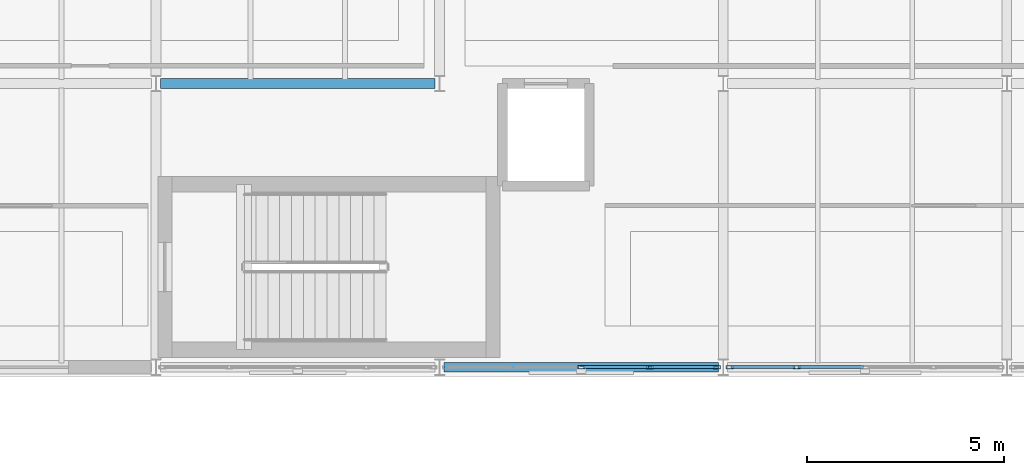
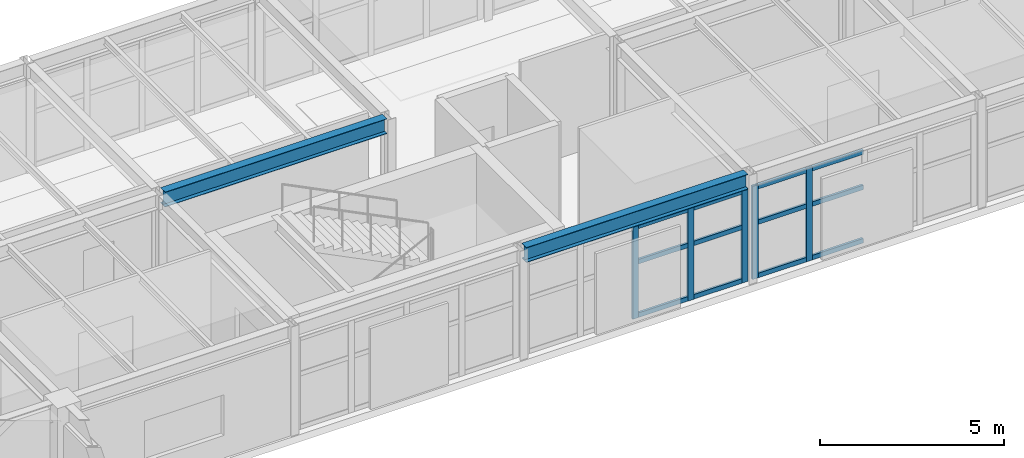
# One storey, part 15 of 48: 17 members, 2 beams, 2 elements without a shape of their own.
"""IFC4 building model written with IfcOpenShell, lengths in metres."""

from ifc_helpers import new_model, si_unit, direction, frame, origin, origin_2d, place, context, subcontext, project, spatial, hollow_rectangle, i_section, extrude, material, layer, layer_set, material_profile, profile_set, type_object, element, aggregate, save


model = new_model("IFC4")

# Units and contexts
model_context = context("Model", 3, precision=1e-05, world=origin(), true_north=direction((0.0, 1.0)))
body_context = subcontext(model_context, "Body", "Model", "MODEL_VIEW")
ifc_project = project(units=[si_unit("LENGTHUNIT", "METRE"), si_unit("AREAUNIT", "SQUARE_METRE"), si_unit("VOLUMEUNIT", "CUBIC_METRE"), si_unit("PLANEANGLEUNIT", "RADIAN"), si_unit("MASSUNIT", "GRAM", prefix="KILO")], contexts=[model_context])

# Site, building, storey
site_placement = place(None, origin())
site = spatial("IfcSite", under=ifc_project, at=site_placement, CompositionType="ELEMENT")
building_placement = place(site_placement, origin())
building = spatial("IfcBuilding", under=site, at=building_placement, Name="Kandorven Conservatory and Botanical Research Centre", CompositionType="ELEMENT")
storey_placement = place(building_placement, frame((0.0, 0.0, 13.199951171875)))
storey = spatial("IfcBuildingStorey", under=building, at=storey_placement, Name="L03", CompositionType="ELEMENT", Elevation=13.199951171875)

# Beams
ifc_material_1 = material(Name="Steel S355 (IS 2062 E350)", Category="steel")
ifc_material_profile_1 = material_profile(ifc_material_1, i_section(OverallWidth=0.25, OverallDepth=0.5, WebThickness=0.010009765625, FlangeThickness=0.0146484375, at=origin_2d()))
ifc_profile_set_1 = profile_set([ifc_material_profile_1], Name="Steel S355 (IS 2062 E350)")
beam_type = type_object("IfcBeamType", Name="Beam_FG-02", PredefinedType="USERDEFINED", material=ifc_profile_set_1)
beam_1_placement = place(storey_placement, frame((56.514892578125, 13.199951171875, 3.375), z_axis=(1.0, 0.0, 0.0), x_axis=(0.0, 1.0, 0.0)))
element("IfcBeam", 1, at=beam_1_placement, inside=storey, type_object=beam_type, Name="Primary girder FG-02 VIS L03", ObjectType="GIRDER", PredefinedType="USERDEFINED", context=body_context, shape_type="SweptSolid", body=[
    extrude(i_section(OverallWidth=0.25, OverallDepth=0.5, WebThickness=0.010009765625, FlangeThickness=0.0146484375, at=origin_2d()), origin(), (0.0, 0.0, 1.0), 6.97021484375),
])
beam_2_placement = place(storey_placement, frame((49.31494140625, 20.39990234375, 3.375), z_axis=(1.0, 0.0, 0.0), x_axis=(0.0, 1.0, 0.0)))
element("IfcBeam", 2, at=beam_2_placement, inside=storey, type_object=beam_type, Name="Primary girder FG-02 VIS L03", ObjectType="GIRDER", PredefinedType="USERDEFINED", context=body_context, shape_type="SweptSolid", body=[
    extrude(i_section(OverallWidth=0.25, OverallDepth=0.5, WebThickness=0.010009765625, FlangeThickness=0.0146484375, at=origin_2d()), origin(), (0.0, 0.0, 1.0), 6.969970703125),
])

# Curtain wall, members
ifc_material_2 = material(Name="Bronze anodised thermally broken aluminium", Category="aluminium")
ifc_layer = layer(ifc_material_2, 0.179931640625)
ifc_layer_set = layer_set([ifc_layer], Name="Bronze anodised thermally broken aluminium")
curtain_wall_type = type_object("IfcCurtainWallType", Name="CW_Unitised", PredefinedType="USERDEFINED", material=ifc_layer_set)
curtain_wall_1_placement = place(storey_placement, origin())
curtain_wall_1 = element("IfcCurtainWall", 3, at=curtain_wall_1_placement, inside=storey, type_object=curtain_wall_type, Name="Visitor wing unitised curtain wall CW-VIS-S-L03-3", ObjectType="UNITISED GLAZING", PredefinedType="USERDEFINED")
ifc_material_3 = material(Name="Bronze anodised thermally broken aluminium", Category="aluminium")
ifc_material_profile_2 = material_profile(ifc_material_3, hollow_rectangle(XDim=0.080078125, YDim=0.179931640625, WallThickness=0.006103515625, at=origin_2d()))
ifc_profile_set_2 = profile_set([ifc_material_profile_2], Name="Bronze anodised thermally broken aluminium")
member_type_1 = type_object("IfcMemberType", Name="CW_Mullion", PredefinedType="MULLION", material=ifc_profile_set_2)
member_1_placement = place(storey_placement, frame((60.0, 13.199951171875, 0.0), z_axis=(0.0, 0.0, 1.0), x_axis=(0.0, 1.0, 0.0)))
member_1 = element("IfcMember", 4, at=member_1_placement, type_object=member_type_1, Name="CW-01 mullion 3", PredefinedType="MULLION", context=body_context, shape_type="SweptSolid", body=[
    extrude(hollow_rectangle(XDim=0.080078125, YDim=0.179931640625, WallThickness=0.006103515625, at=origin_2d()), origin(), (0.0, 0.0, 1.0), 3.10009765625),
])
member_2_placement = place(storey_placement, frame((61.737548828125, 13.199951171875, 0.0), z_axis=(0.0, 0.0, 1.0), x_axis=(0.0, 1.0, 0.0)))
member_2 = element("IfcMember", 5, at=member_2_placement, type_object=member_type_1, Name="CW-01 mullion 4", PredefinedType="MULLION", context=body_context, shape_type="SweptSolid", body=[
    extrude(hollow_rectangle(XDim=0.080078125, YDim=0.179931640625, WallThickness=0.006103515625, at=origin_2d()), origin(), (0.0, 0.0, 1.0), 3.10009765625),
])
member_3_placement = place(storey_placement, frame((63.43505859375, 13.199951171875, 0.0), z_axis=(0.0, 0.0, 1.0), x_axis=(0.0, 1.0, 0.0)))
member_3 = element("IfcMember", 6, at=member_3_placement, type_object=member_type_1, Name="CW-01 mullion 5", PredefinedType="MULLION", context=body_context, shape_type="SweptSolid", body=[
    extrude(hollow_rectangle(XDim=0.080078125, YDim=0.179931640625, WallThickness=0.006103515625, at=origin_2d()), origin(), (0.0, 0.0, 1.0), 3.10009765625),
])

curtain_wall_2_placement = place(storey_placement, origin())
curtain_wall_2 = element("IfcCurtainWall", 7, at=curtain_wall_2_placement, inside=storey, type_object=curtain_wall_type, Name="Visitor wing unitised curtain wall CW-VIS-S-L03-4", ObjectType="UNITISED GLAZING", PredefinedType="USERDEFINED")
member_4_placement = place(storey_placement, frame((63.764892578125, 13.199951171875, 0.0), z_axis=(0.0, 0.0, 1.0), x_axis=(0.0, 1.0, 0.0)))
member_4 = element("IfcMember", 8, at=member_4_placement, type_object=member_type_1, Name="CW-01 mullion 1", PredefinedType="MULLION", context=body_context, shape_type="SweptSolid", body=[
    extrude(hollow_rectangle(XDim=0.080078125, YDim=0.179931640625, WallThickness=0.006103515625, at=origin_2d()), origin(), (0.0, 0.0, 1.0), 3.10009765625),
])
member_5_placement = place(storey_placement, frame((65.46240234375, 13.199951171875, 0.0), z_axis=(0.0, 0.0, 1.0), x_axis=(0.0, 1.0, 0.0)))
member_5 = element("IfcMember", 9, at=member_5_placement, type_object=member_type_1, Name="CW-01 mullion 2", PredefinedType="MULLION", context=body_context, shape_type="SweptSolid", body=[
    extrude(hollow_rectangle(XDim=0.080078125, YDim=0.179931640625, WallThickness=0.006103515625, at=origin_2d()), origin(), (0.0, 0.0, 1.0), 3.10009765625),
])

# Member
ifc_material_4 = material(Name="Bronze anodised thermally broken aluminium", Category="aluminium")
ifc_material_profile_3 = material_profile(ifc_material_4, hollow_rectangle(XDim=0.074951171875, YDim=0.14990234375, WallThickness=0.006103515625, at=origin_2d()))
ifc_profile_set_3 = profile_set([ifc_material_profile_3], Name="Bronze anodised thermally broken aluminium")
member_type_2 = type_object("IfcMemberType", Name="CW_Transom", PredefinedType="USERDEFINED", material=ifc_profile_set_3)
member_6_placement = place(storey_placement, frame((60.0400390625, 13.199951171875, 0.074951171875), z_axis=(1.0, 0.0, 0.0), x_axis=(0.0, 1.0, 0.0)))
member_6 = element("IfcMember", 10, at=member_6_placement, type_object=member_type_2, Name="CW-01 transom 3.1", ObjectType="TRANSOM", PredefinedType="USERDEFINED", context=body_context, shape_type="SweptSolid", body=[
    extrude(hollow_rectangle(XDim=0.074951171875, YDim=0.14990234375, WallThickness=0.006103515625, at=origin_2d()), origin(), (0.0, 0.0, 1.0), 1.657470703125),
])

member_7_placement = place(storey_placement, frame((60.0400390625, 13.199951171875, 1.85009765625), z_axis=(1.0, 0.0, 0.0), x_axis=(0.0, 1.0, 0.0)))
member_7 = element("IfcMember", 11, at=member_7_placement, type_object=member_type_2, Name="CW-01 transom 3.2", ObjectType="TRANSOM", PredefinedType="USERDEFINED", context=body_context, shape_type="SweptSolid", body=[
    extrude(hollow_rectangle(XDim=0.074951171875, YDim=0.14990234375, WallThickness=0.006103515625, at=origin_2d()), origin(), (0.0, 0.0, 1.0), 1.657470703125),
])

member_8_placement = place(storey_placement, frame((60.0400390625, 13.199951171875, 3.025146484375), z_axis=(1.0, 0.0, 0.0), x_axis=(0.0, 1.0, 0.0)))
member_8 = element("IfcMember", 12, at=member_8_placement, type_object=member_type_2, Name="CW-01 transom 3.3", ObjectType="TRANSOM", PredefinedType="USERDEFINED", context=body_context, shape_type="SweptSolid", body=[
    extrude(hollow_rectangle(XDim=0.074951171875, YDim=0.14990234375, WallThickness=0.006103515625, at=origin_2d()), origin(), (0.0, 0.0, 1.0), 1.657470703125),
])

member_9_placement = place(storey_placement, frame((61.777587890625, 13.199951171875, 0.074951171875), z_axis=(1.0, 0.0, 0.0), x_axis=(0.0, 1.0, 0.0)))
member_9 = element("IfcMember", 13, at=member_9_placement, type_object=member_type_2, Name="CW-01 transom 4.1", ObjectType="TRANSOM", PredefinedType="USERDEFINED", context=body_context, shape_type="SweptSolid", body=[
    extrude(hollow_rectangle(XDim=0.074951171875, YDim=0.14990234375, WallThickness=0.006103515625, at=origin_2d()), origin(), (0.0, 0.0, 1.0), 1.617431640625),
])

member_10_placement = place(storey_placement, frame((61.777587890625, 13.199951171875, 1.85009765625), z_axis=(1.0, 0.0, 0.0), x_axis=(0.0, 1.0, 0.0)))
member_10 = element("IfcMember", 14, at=member_10_placement, type_object=member_type_2, Name="CW-01 transom 4.2", ObjectType="TRANSOM", PredefinedType="USERDEFINED", context=body_context, shape_type="SweptSolid", body=[
    extrude(hollow_rectangle(XDim=0.074951171875, YDim=0.14990234375, WallThickness=0.006103515625, at=origin_2d()), origin(), (0.0, 0.0, 1.0), 1.617431640625),
])

member_11_placement = place(storey_placement, frame((61.777587890625, 13.199951171875, 3.025146484375), z_axis=(1.0, 0.0, 0.0), x_axis=(0.0, 1.0, 0.0)))
member_11 = element("IfcMember", 15, at=member_11_placement, type_object=member_type_2, Name="CW-01 transom 4.3", ObjectType="TRANSOM", PredefinedType="USERDEFINED", context=body_context, shape_type="SweptSolid", body=[
    extrude(hollow_rectangle(XDim=0.074951171875, YDim=0.14990234375, WallThickness=0.006103515625, at=origin_2d()), origin(), (0.0, 0.0, 1.0), 1.617431640625),
])

aggregate(curtain_wall_1, [member_1, member_2, member_3, member_6, member_7, member_8, member_9, member_10, member_11])

member_12_placement = place(storey_placement, frame((63.804931640625, 13.199951171875, 0.074951171875), z_axis=(1.0, 0.0, 0.0), x_axis=(0.0, 1.0, 0.0)))
member_12 = element("IfcMember", 16, at=member_12_placement, type_object=member_type_2, Name="CW-01 transom 1.1", ObjectType="TRANSOM", PredefinedType="USERDEFINED", context=body_context, shape_type="SweptSolid", body=[
    extrude(hollow_rectangle(XDim=0.074951171875, YDim=0.14990234375, WallThickness=0.006103515625, at=origin_2d()), origin(), (0.0, 0.0, 1.0), 1.61767578125),
])

member_13_placement = place(storey_placement, frame((63.804931640625, 13.199951171875, 1.85009765625), z_axis=(1.0, 0.0, 0.0), x_axis=(0.0, 1.0, 0.0)))
member_13 = element("IfcMember", 17, at=member_13_placement, type_object=member_type_2, Name="CW-01 transom 1.2", ObjectType="TRANSOM", PredefinedType="USERDEFINED", context=body_context, shape_type="SweptSolid", body=[
    extrude(hollow_rectangle(XDim=0.074951171875, YDim=0.14990234375, WallThickness=0.006103515625, at=origin_2d()), origin(), (0.0, 0.0, 1.0), 1.61767578125),
])

member_14_placement = place(storey_placement, frame((63.804931640625, 13.199951171875, 3.025146484375), z_axis=(1.0, 0.0, 0.0), x_axis=(0.0, 1.0, 0.0)))
member_14 = element("IfcMember", 18, at=member_14_placement, type_object=member_type_2, Name="CW-01 transom 1.3", ObjectType="TRANSOM", PredefinedType="USERDEFINED", context=body_context, shape_type="SweptSolid", body=[
    extrude(hollow_rectangle(XDim=0.074951171875, YDim=0.14990234375, WallThickness=0.006103515625, at=origin_2d()), origin(), (0.0, 0.0, 1.0), 1.61767578125),
])

member_15_placement = place(storey_placement, frame((65.50244140625, 13.199951171875, 0.074951171875), z_axis=(1.0, 0.0, 0.0), x_axis=(0.0, 1.0, 0.0)))
member_15 = element("IfcMember", 19, at=member_15_placement, type_object=member_type_2, Name="CW-01 transom 2.1", ObjectType="TRANSOM", PredefinedType="USERDEFINED", context=body_context, shape_type="SweptSolid", body=[
    extrude(hollow_rectangle(XDim=0.074951171875, YDim=0.14990234375, WallThickness=0.006103515625, at=origin_2d()), origin(), (0.0, 0.0, 1.0), 1.657470703125),
])

member_16_placement = place(storey_placement, frame((65.50244140625, 13.199951171875, 1.85009765625), z_axis=(1.0, 0.0, 0.0), x_axis=(0.0, 1.0, 0.0)))
member_16 = element("IfcMember", 20, at=member_16_placement, type_object=member_type_2, Name="CW-01 transom 2.2", ObjectType="TRANSOM", PredefinedType="USERDEFINED", context=body_context, shape_type="SweptSolid", body=[
    extrude(hollow_rectangle(XDim=0.074951171875, YDim=0.14990234375, WallThickness=0.006103515625, at=origin_2d()), origin(), (0.0, 0.0, 1.0), 1.657470703125),
])

member_17_placement = place(storey_placement, frame((65.50244140625, 13.199951171875, 3.025146484375), z_axis=(1.0, 0.0, 0.0), x_axis=(0.0, 1.0, 0.0)))
member_17 = element("IfcMember", 21, at=member_17_placement, type_object=member_type_2, Name="CW-01 transom 2.3", ObjectType="TRANSOM", PredefinedType="USERDEFINED", context=body_context, shape_type="SweptSolid", body=[
    extrude(hollow_rectangle(XDim=0.074951171875, YDim=0.14990234375, WallThickness=0.006103515625, at=origin_2d()), origin(), (0.0, 0.0, 1.0), 1.657470703125),
])

aggregate(curtain_wall_2, [member_4, member_5, member_12, member_13, member_14, member_15, member_16, member_17])

save(model, "model.ifc")
